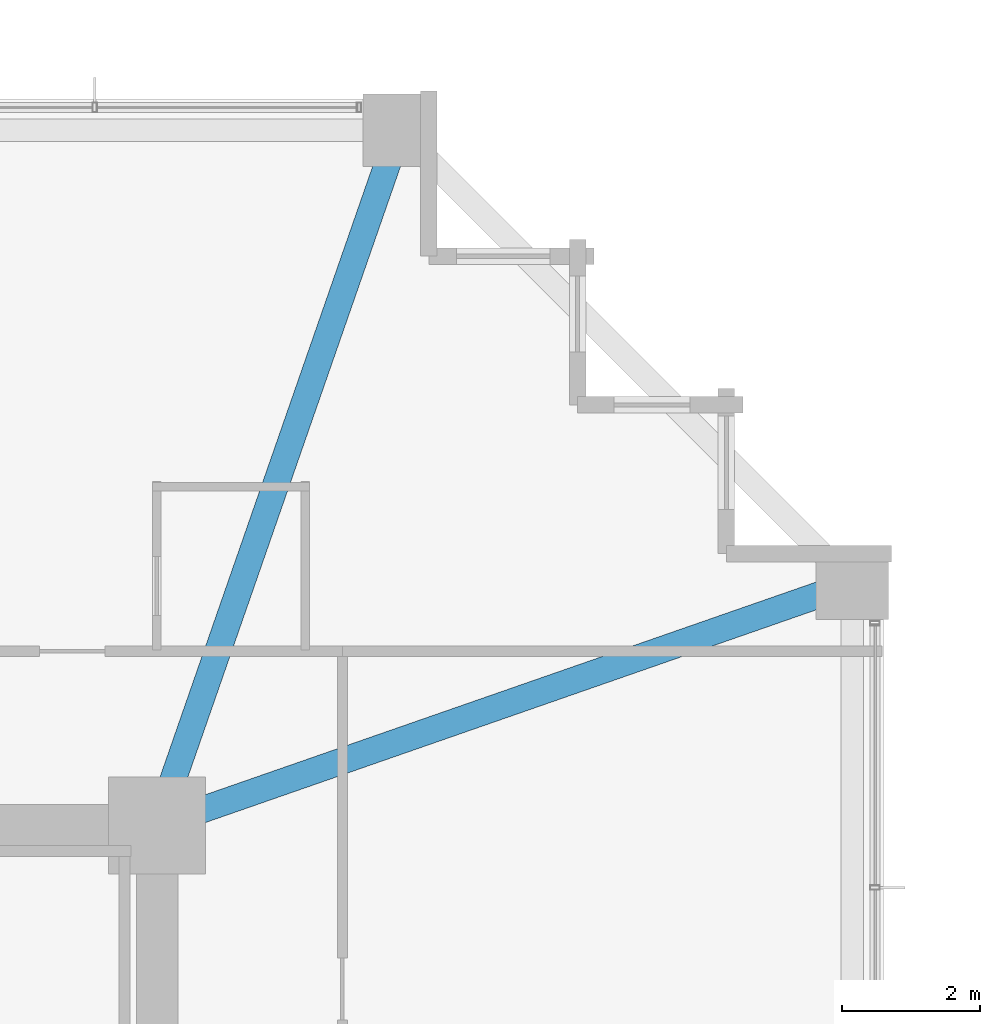
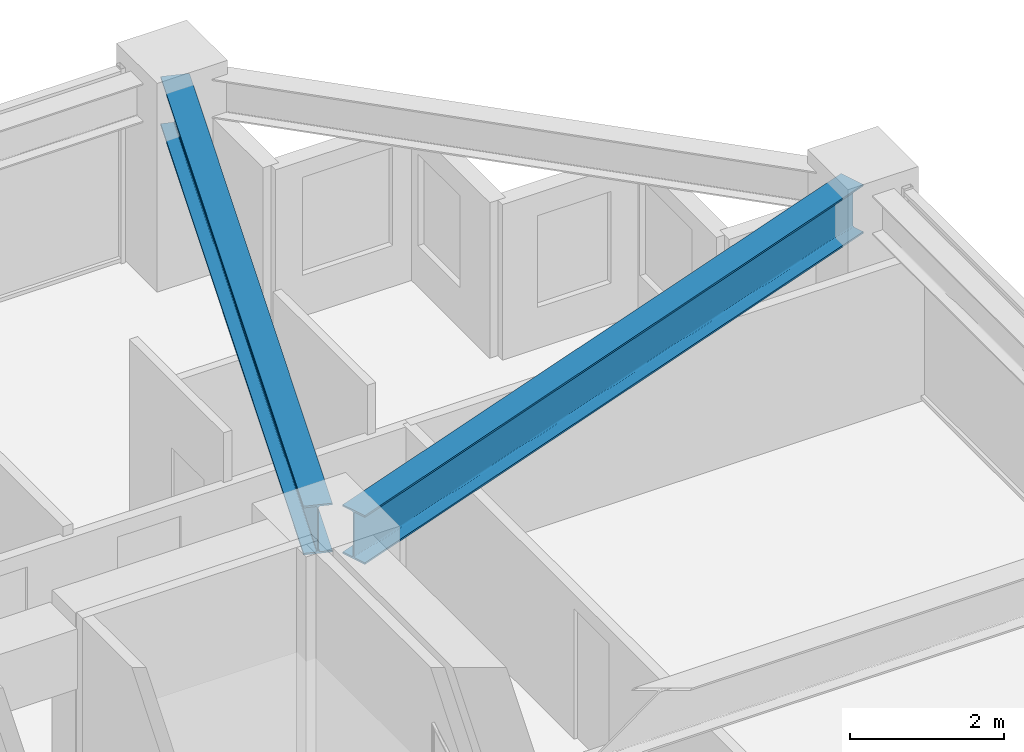
# One storey, part 22 of 37: 2 beams.
"""IFC4 building model written with IfcOpenShell, lengths in metres."""

from ifc_helpers import new_model, si_unit, direction, frame, origin, origin_2d, place, context, subcontext, project, spatial, i_section, extrude, material, material_profile, profile_set, type_object, element, save


model = new_model("IFC4")

# Units and contexts
model_context = context("Model", 3, precision=1e-05, world=origin(), true_north=direction((0.0, 1.0)))
body_context = subcontext(model_context, "Body", "Model", "MODEL_VIEW")
ifc_project = project(units=[si_unit("LENGTHUNIT", "METRE"), si_unit("AREAUNIT", "SQUARE_METRE"), si_unit("VOLUMEUNIT", "CUBIC_METRE"), si_unit("PLANEANGLEUNIT", "RADIAN"), si_unit("MASSUNIT", "GRAM", prefix="KILO")], contexts=[model_context])

# Site, building, storey
site_placement = place(None, origin())
site = spatial("IfcSite", under=ifc_project, at=site_placement, CompositionType="ELEMENT")
building_placement = place(site_placement, origin())
building = spatial("IfcBuilding", under=site, at=building_placement, Name="Kolvaren Belvedere", CompositionType="ELEMENT")
storey_placement = place(building_placement, frame((0.0, 0.0, 82.10009765625)))
storey = spatial("IfcBuildingStorey", under=building, at=storey_placement, Name="L23", CompositionType="ELEMENT", Elevation=82.10009765625)

# Beams
ifc_material = material(Name="Structural steel ASTM A992 Grade 50", Category="steel")
ifc_material_profile = material_profile(ifc_material, i_section(OverallWidth=0.381103515625, OverallDepth=0.77294921875, WebThickness=0.0166015625, FlangeThickness=0.027099609375, FilletRadius=0.02392578125, at=origin_2d()), Name="W30X173")
ifc_profile_set = profile_set([ifc_material_profile], Name="Structural steel ASTM A992 Grade 50")
beam_type = type_object("IfcBeamType", Name="BM-GIRD-W30X173", PredefinedType="BEAM", material=ifc_profile_set)
for number, where, z_axis, x_axis, name in (
    (1, (10.080810546875, 10.41943359375, 2.693359375), (0.328880894453, 0.944371408538, 0.0), (-0.944371408538, 0.328880894453, 0.0), "L23 Corner Core-to-Perimeter Girder CC3-N4"),
    (2, (10.41943359375, 10.080810546875, 2.693359375), (0.944371408538, 0.328880894453, 0.0), (-0.328880894453, 0.944371408538, 0.0), "L23 Corner Core-to-Perimeter Girder CC3-E4"),
):
    element("IfcBeam", number, at=place(storey_placement, frame(where, z_axis=z_axis, x_axis=x_axis)), inside=storey, type_object=beam_type, Name=name, PredefinedType="BEAM", context=body_context, shape_type="SweptSolid", body=[
        extrude(i_section(OverallWidth=0.381103515625, OverallDepth=0.77294921875, WebThickness=0.0166015625, FlangeThickness=0.027099609375, FilletRadius=0.02392578125, at=origin_2d()), origin(), (0.0, 0.0, 1.0), 9.882080078125),
    ])

save(model, "model.ifc")
